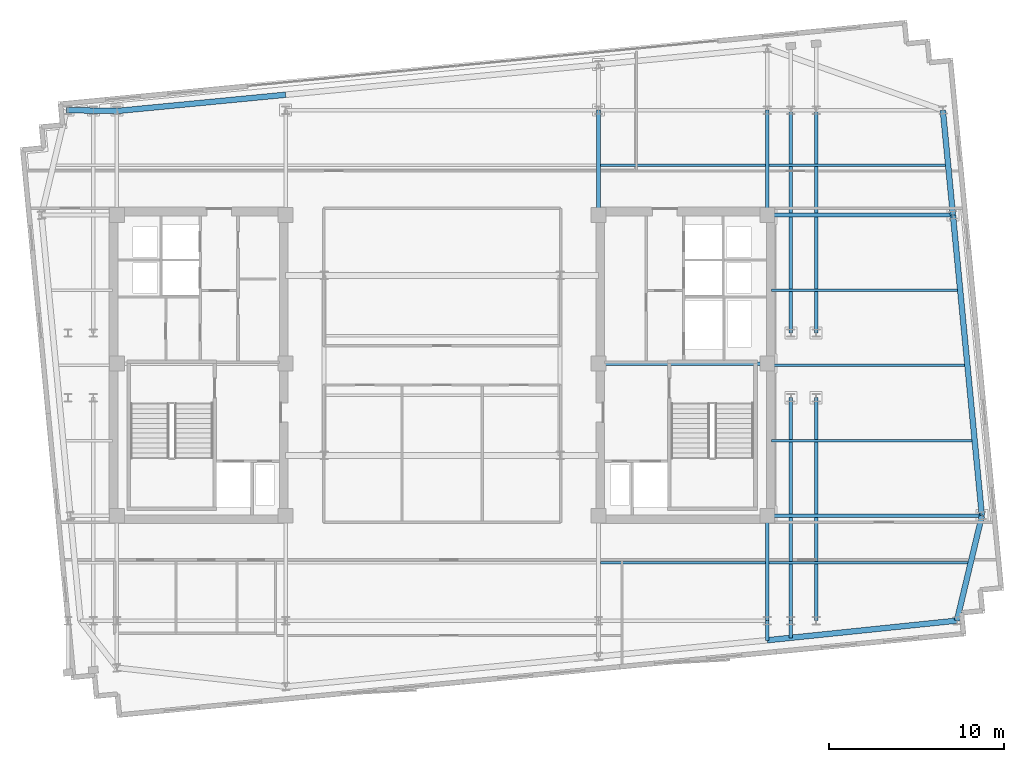
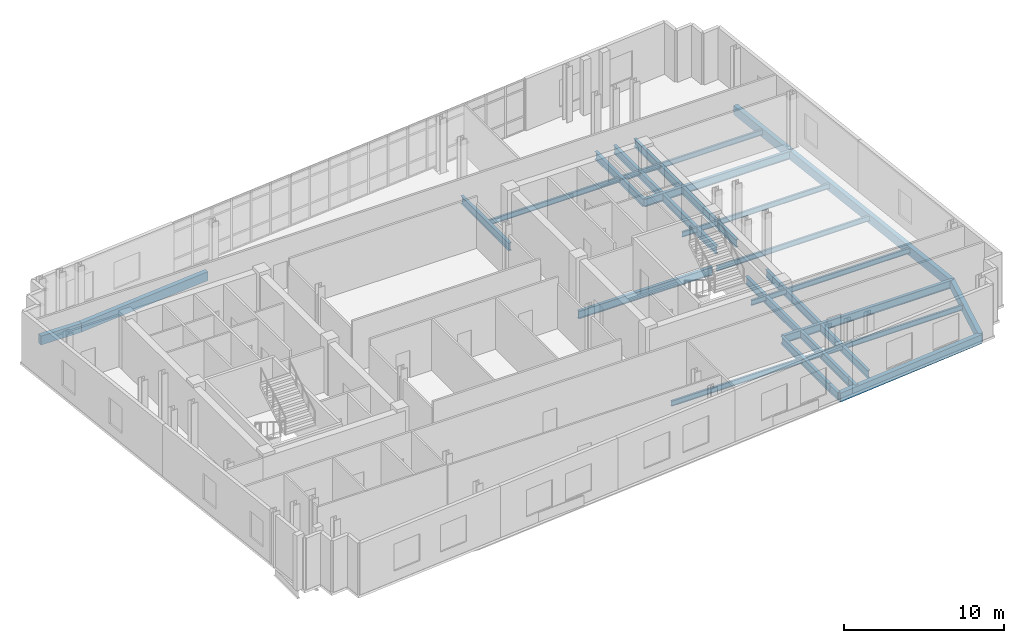
# One storey, part 2 of 11: 25 beams.
"""IFC4 building model written with IfcOpenShell, lengths in metres."""

from ifc_helpers import new_model, si_unit, direction, frame, origin, origin_2d, place, context, subcontext, project, spatial, rectangle, i_section, extrude, material, material_profile, profile_set, type_object, element, save


model = new_model("IFC4")

# Units and contexts
model_context = context("Model", 3, precision=1e-05, world=origin(), true_north=direction((0.0, 1.0)))
body_context = subcontext(model_context, "Body", "Model", "MODEL_VIEW")
ifc_project = project(units=[si_unit("LENGTHUNIT", "METRE"), si_unit("AREAUNIT", "SQUARE_METRE"), si_unit("VOLUMEUNIT", "CUBIC_METRE"), si_unit("PLANEANGLEUNIT", "RADIAN"), si_unit("MASSUNIT", "GRAM", prefix="KILO")], contexts=[model_context])

# Site, building, storey
site_placement = place(None, origin())
site = spatial("IfcSite", under=ifc_project, at=site_placement, CompositionType="ELEMENT")
building_placement = place(site_placement, origin())
building = spatial("IfcBuilding", under=site, at=building_placement, Name="Velakula Bourse", CompositionType="ELEMENT")
storey_placement = place(building_placement, frame((0.0, 0.0, 282.75)))
storey = spatial("IfcBuildingStorey", under=building, at=storey_placement, Name="L77", CompositionType="ELEMENT", Elevation=282.75)

# Beams
ifc_material_1 = material(Name="Steel IS 2062 Grade 350 (E350)", Category="steel")
ifc_material_profile_1 = material_profile(ifc_material_1, i_section(OverallWidth=0.2099609375, OverallDepth=0.60009765625, WebThickness=0.011962890625, FlangeThickness=0.020751953125, at=origin_2d()), Name="Steel IS 2062 Grade 350 (E350)")
ifc_profile_set_1 = profile_set([ifc_material_profile_1], Name="Steel IS 2062 Grade 350 (E350)")
beam_type_1 = type_object("IfcBeamType", Name="BM-GRD-600L", PredefinedType="BEAM", material=ifc_profile_set_1)
beam_1_placement = place(storey_placement, frame((8.949951171875, 0.10009765625, -0.47998046875), z_axis=(1.0, 0.0, 0.0), x_axis=(0.0, 1.0, 0.0)))
element("IfcBeam", 1, at=beam_1_placement, inside=storey, type_object=beam_type_1, Name="L77 Primary Backbone Girder CRE-M", PredefinedType="BEAM", context=body_context, shape_type="SweptSolid", body=[
    extrude(i_section(OverallWidth=0.2099609375, OverallDepth=0.60009765625, WebThickness=0.011962890625, FlangeThickness=0.020751953125, at=origin_2d()), origin(), (0.0, 0.0, 1.0), 9.650146484375),
])
for number, where, z_axis, x_axis, name in (
    (2, (8.949951171875, 8.60009765625, -0.47998046875), (0.0, 1.0, 0.0), (-1.0, 0.0, 0.0), "L77 Fulcrum Grid Girder FLC-ECN"),
    (3, (18.60009765625, -14.60009765625, -0.47998046875), (0.0, 1.0, 0.0), (-1.0, 0.0, 0.0), "L77 Fulcrum Grid Girder FLC-ES"),
    (4, (18.60009765625, 8.60009765625, -0.47998046875), (0.0, 1.0, 0.0), (-1.0, 0.0, 0.0), "L77 Fulcrum Grid Girder FLC-EN"),
):
    element("IfcBeam", number, at=place(storey_placement, frame(where, z_axis=z_axis, x_axis=x_axis)), inside=storey, type_object=beam_type_1, Name=name, PredefinedType="BEAM", context=body_context, shape_type="SweptSolid", body=[
        extrude(i_section(OverallWidth=0.2099609375, OverallDepth=0.60009765625, WebThickness=0.011962890625, FlangeThickness=0.020751953125, at=origin_2d()), origin(), (0.0, 0.0, 1.0), 6.0),
    ])
for number, where, z_axis, x_axis, name in (
    (5, (19.949951171875, -14.60009765625, -0.47998046875), (0.0, 1.0, 0.0), (-1.0, 0.0, 0.0), "L77 Fulcrum Grid Girder FLC-PSE1"),
    (6, (19.949951171875, 1.85009765625, -0.47998046875), (0.0, 1.0, 0.0), (-1.0, 0.0, 0.0), "L77 Fulcrum Grid Girder FLC-PNE1"),
    (7, (21.39990234375, -14.60009765625, -0.47998046875), (0.0, 1.0, 0.0), (-1.0, 0.0, 0.0), "L77 Fulcrum Grid Girder FLC-PSE2"),
    (8, (21.39990234375, 1.85009765625, -0.47998046875), (0.0, 1.0, 0.0), (-1.0, 0.0, 0.0), "L77 Fulcrum Grid Girder FLC-PNE2"),
):
    element("IfcBeam", number, at=place(storey_placement, frame(where, z_axis=z_axis, x_axis=x_axis)), inside=storey, type_object=beam_type_1, Name=name, PredefinedType="BEAM", context=body_context, shape_type="SweptSolid", body=[
        extrude(i_section(OverallWidth=0.2099609375, OverallDepth=0.60009765625, WebThickness=0.011962890625, FlangeThickness=0.020751953125, at=origin_2d()), origin(), (0.0, 0.0, 1.0), 12.75),
    ])
beam_2_placement = place(storey_placement, frame((18.60009765625, -14.60009765625, -0.47998046875), z_axis=(0.0, -1.0, 0.0), x_axis=(1.0, 0.0, 0.0)))
element("IfcBeam", 9, at=beam_2_placement, inside=storey, type_object=beam_type_1, Name="L77 Perimeter Tie Girder S4", PredefinedType="BEAM", context=body_context, shape_type="SweptSolid", body=[
    extrude(i_section(OverallWidth=0.2099609375, OverallDepth=0.60009765625, WebThickness=0.011962890625, FlangeThickness=0.020751953125, at=origin_2d()), origin(), (0.0, 0.0, 1.0), 1.1220703125),
])
beam_3_placement = place(storey_placement, frame((18.60009765625, -8.60009765625, -0.47998046875), z_axis=(1.0, 0.0, 0.0), x_axis=(0.0, 1.0, 0.0)))
element("IfcBeam", 10, at=beam_3_placement, inside=storey, type_object=beam_type_1, Name="L77 Perimeter Tie Girder E2", PredefinedType="BEAM", context=body_context, shape_type="SweptSolid", body=[
    extrude(i_section(OverallWidth=0.2099609375, OverallDepth=0.60009765625, WebThickness=0.011962890625, FlangeThickness=0.020751953125, at=origin_2d()), origin(), (0.0, 0.0, 1.0), 12.27880859375),
])
beam_4_placement = place(storey_placement, frame((18.60009765625, 8.60009765625, -0.47998046875), z_axis=(1.0, 0.0, 0.0), x_axis=(0.0, 1.0, 0.0)))
element("IfcBeam", 11, at=beam_4_placement, inside=storey, type_object=beam_type_1, Name="L77 Perimeter Tie Girder E3", PredefinedType="BEAM", context=body_context, shape_type="SweptSolid", body=[
    extrude(i_section(OverallWidth=0.2099609375, OverallDepth=0.60009765625, WebThickness=0.011962890625, FlangeThickness=0.020751953125, at=origin_2d()), origin(), (0.0, 0.0, 1.0), 10.62255859375),
])
beam_5_placement = place(storey_placement, frame((19.949951171875, -14.60009765625, -0.47998046875), z_axis=(0.0, -1.0, 0.0), x_axis=(1.0, 0.0, 0.0)))
element("IfcBeam", 12, at=beam_5_placement, inside=storey, type_object=beam_type_1, Name="L77 Perimeter Tie Girder P03", PredefinedType="BEAM", context=body_context, shape_type="SweptSolid", body=[
    extrude(i_section(OverallWidth=0.2099609375, OverallDepth=0.60009765625, WebThickness=0.011962890625, FlangeThickness=0.020751953125, at=origin_2d()), origin(), (0.0, 0.0, 1.0), 0.991943359375),
])
ifc_material_profile_2 = material_profile(ifc_material_1, i_section(OverallWidth=0.139892578125, OverallDepth=0.39990234375, WebThickness=0.0087890625, FlangeThickness=0.01611328125, at=origin_2d()), Name="Steel IS 2062 Grade 350 (E350)")
ifc_profile_set_2 = profile_set([ifc_material_profile_2], Name="Steel IS 2062 Grade 350 (E350)")
beam_type_2 = type_object("IfcBeamType", Name="JST-TWR-400", PredefinedType="JOIST", material=ifc_profile_set_2)
beam_6_placement = place(storey_placement, frame((9.054931640625, -11.300048828125, -0.3798828125), z_axis=(1.0, 0.0, 0.0), x_axis=(0.0, 1.0, 0.0)))
element("IfcBeam", 13, at=beam_6_placement, inside=storey, type_object=beam_type_2, Name="L77 Trading Floor Composite Joist 06", PredefinedType="JOIST", context=body_context, shape_type="SweptSolid", body=[
    extrude(i_section(OverallWidth=0.139892578125, OverallDepth=0.39990234375, WebThickness=0.0087890625, FlangeThickness=0.01611328125, at=origin_2d()), origin(), (0.0, 0.0, 1.0), 9.440185546875),
])
beam_7_placement = place(storey_placement, frame((18.705078125, -11.300048828125, -0.3798828125), z_axis=(1.0, 0.0, 0.0), x_axis=(0.0, 1.0, 0.0)))
element("IfcBeam", 14, at=beam_7_placement, inside=storey, type_object=beam_type_2, Name="L77 Trading Floor Composite Joist 07", PredefinedType="JOIST", context=body_context, shape_type="SweptSolid", body=[
    extrude(i_section(OverallWidth=0.139892578125, OverallDepth=0.39990234375, WebThickness=0.0087890625, FlangeThickness=0.01611328125, at=origin_2d()), origin(), (0.0, 0.0, 1.0), 11.364990234375),
])
beam_8_placement = place(storey_placement, frame((9.054931640625, 11.449951171875, -0.3798828125), z_axis=(1.0, 0.0, 0.0), x_axis=(0.0, 1.0, 0.0)))
element("IfcBeam", 15, at=beam_8_placement, inside=storey, type_object=beam_type_2, Name="L77 Trading Floor Composite Joist 11", PredefinedType="JOIST", context=body_context, shape_type="SweptSolid", body=[
    extrude(i_section(OverallWidth=0.139892578125, OverallDepth=0.39990234375, WebThickness=0.0087890625, FlangeThickness=0.01611328125, at=origin_2d()), origin(), (0.0, 0.0, 1.0), 9.440185546875),
])
beam_9_placement = place(storey_placement, frame((18.705078125, 11.449951171875, -0.3798828125), z_axis=(1.0, 0.0, 0.0), x_axis=(0.0, 1.0, 0.0)))
element("IfcBeam", 16, at=beam_9_placement, inside=storey, type_object=beam_type_2, Name="L77 Trading Floor Composite Joist 12", PredefinedType="JOIST", context=body_context, shape_type="SweptSolid", body=[
    extrude(i_section(OverallWidth=0.139892578125, OverallDepth=0.39990234375, WebThickness=0.0087890625, FlangeThickness=0.01611328125, at=origin_2d()), origin(), (0.0, 0.0, 1.0), 10.08251953125),
])
beam_10_placement = place(storey_placement, frame((18.85009765625, -4.300048828125, -0.3798828125), z_axis=(1.0, 0.0, 0.0), x_axis=(0.0, 1.0, 0.0)))
element("IfcBeam", 17, at=beam_10_placement, inside=storey, type_object=beam_type_2, Name="L77 Trading Floor Composite Joist 17", PredefinedType="JOIST", context=body_context, shape_type="SweptSolid", body=[
    extrude(i_section(OverallWidth=0.139892578125, OverallDepth=0.39990234375, WebThickness=0.0087890625, FlangeThickness=0.01611328125, at=origin_2d()), origin(), (0.0, 0.0, 1.0), 11.453857421875),
])
beam_11_placement = place(storey_placement, frame((18.85009765625, 0.0, -0.3798828125), z_axis=(1.0, 0.0, 0.0), x_axis=(0.0, 1.0, 0.0)))
element("IfcBeam", 18, at=beam_11_placement, inside=storey, type_object=beam_type_2, Name="L77 Trading Floor Composite Joist 19", PredefinedType="JOIST", context=body_context, shape_type="SweptSolid", body=[
    extrude(i_section(OverallWidth=0.139892578125, OverallDepth=0.39990234375, WebThickness=0.0087890625, FlangeThickness=0.01611328125, at=origin_2d()), origin(), (0.0, 0.0, 1.0), 11.039794921875),
])
beam_12_placement = place(storey_placement, frame((18.85009765625, 4.300048828125, -0.3798828125), z_axis=(1.0, 0.0, 0.0), x_axis=(0.0, 1.0, 0.0)))
element("IfcBeam", 19, at=beam_12_placement, inside=storey, type_object=beam_type_2, Name="L77 Trading Floor Composite Joist 21", PredefinedType="JOIST", context=body_context, shape_type="SweptSolid", body=[
    extrude(i_section(OverallWidth=0.139892578125, OverallDepth=0.39990234375, WebThickness=0.0087890625, FlangeThickness=0.01611328125, at=origin_2d()), origin(), (0.0, 0.0, 1.0), 10.6259765625),
])
ifc_material_2 = material(Name="Precast concrete M45 (fck 45 MPa)", Category="concrete")
ifc_material_profile_3 = material_profile(ifc_material_2, rectangle(XDim=0.320068359375, YDim=0.679931640625, at=origin_2d()), Name="Precast concrete M45 (fck 45 MPa)")
ifc_profile_set_3 = profile_set([ifc_material_profile_3], Name="Precast concrete M45 (fck 45 MPa)")
beam_type_3 = type_object("IfcBeamType", Name="SPN-BRICK-680", PredefinedType="SPANDREL", material=ifc_profile_set_3)
beam_13_placement = place(storey_placement, frame((-18.60009765625, 14.5517578125, -0.52001953125), z_axis=(0.99539623971, 0.095845323155, 0.0), x_axis=(-0.095845323155, 0.99539623971, 0.0)))
element("IfcBeam", 20, at=beam_13_placement, inside=storey, type_object=beam_type_3, Name="L77 Brick-Faced Precast Spandrel N1-N2", PredefinedType="SPANDREL", context=body_context, shape_type="SweptSolid", body=[
    extrude(rectangle(XDim=0.320068359375, YDim=0.679931640625, at=origin_2d()), origin(), (0.0, 0.0, 1.0), 9.69482421875),
])
beam_14_placement = place(storey_placement, frame((29.447265625, -14.60009765625, -0.52001953125), z_axis=(0.232091371601, 0.972693988482, 0.0), x_axis=(-0.972693988482, 0.232091371601, 0.0)))
element("IfcBeam", 21, at=beam_14_placement, inside=storey, type_object=beam_type_3, Name="L77 Brick-Faced Precast Spandrel E1-E2", PredefinedType="SPANDREL", context=body_context, shape_type="SweptSolid", body=[
    extrude(rectangle(XDim=0.320068359375, YDim=0.679931640625, at=origin_2d()), origin(), (0.0, 0.0, 1.0), 6.16845703125),
])
beam_15_placement = place(storey_placement, frame((30.87890625, -8.60009765625, -0.52001953125), z_axis=(-0.095849167925, 0.995395869495, 0.0), x_axis=(-0.995395869495, -0.095849167925, 0.0)))
element("IfcBeam", 22, at=beam_15_placement, inside=storey, type_object=beam_type_3, Name="L77 Brick-Faced Precast Spandrel E2-E3", PredefinedType="SPANDREL", context=body_context, shape_type="SweptSolid", body=[
    extrude(rectangle(XDim=0.320068359375, YDim=0.679931640625, at=origin_2d()), origin(), (0.0, 0.0, 1.0), 17.27978515625),
])
beam_16_placement = place(storey_placement, frame((29.22265625, 8.60009765625, -0.52001953125), z_axis=(-0.095829714309, 0.995397742541, 0.0), x_axis=(-0.995397742541, -0.095829714309, 0.0)))
element("IfcBeam", 23, at=beam_16_placement, inside=storey, type_object=beam_type_3, Name="L77 Brick-Faced Precast Spandrel E3-E4", PredefinedType="SPANDREL", context=body_context, shape_type="SweptSolid", body=[
    extrude(rectangle(XDim=0.320068359375, YDim=0.679931640625, at=origin_2d()), origin(), (0.0, 0.0, 1.0), 6.02783203125),
])
beam_17_placement = place(storey_placement, frame((18.60009765625, -15.72216796875, -0.52001953125), z_axis=(0.994692267912, 0.102894568159, 0.0), x_axis=(-0.102894568159, 0.994692267912, 0.0)))
element("IfcBeam", 24, at=beam_17_placement, inside=storey, type_object=beam_type_3, Name="L77 Brick-Faced Precast Spandrel S4-E1", PredefinedType="SPANDREL", context=body_context, shape_type="SweptSolid", body=[
    extrude(rectangle(XDim=0.320068359375, YDim=0.679931640625, at=origin_2d()), origin(), (0.0, 0.0, 1.0), 10.905029296875),
])
beam_18_placement = place(storey_placement, frame((-18.60009765625, 14.5517578125, -0.52001953125), z_axis=(-0.999859727013, 0.016748919285, 0.0), x_axis=(-0.016748919285, -0.999859727013, 0.0)))
element("IfcBeam", 25, at=beam_18_placement, inside=storey, type_object=beam_type_3, Name="L77 Brick-Faced Precast Spandrel N1-W4", PredefinedType="SPANDREL", context=body_context, shape_type="SweptSolid", body=[
    extrude(rectangle(XDim=0.320068359375, YDim=0.679931640625, at=origin_2d()), origin(), (0.0, 0.0, 1.0), 2.88623046875),
])

save(model, "model.ifc")
